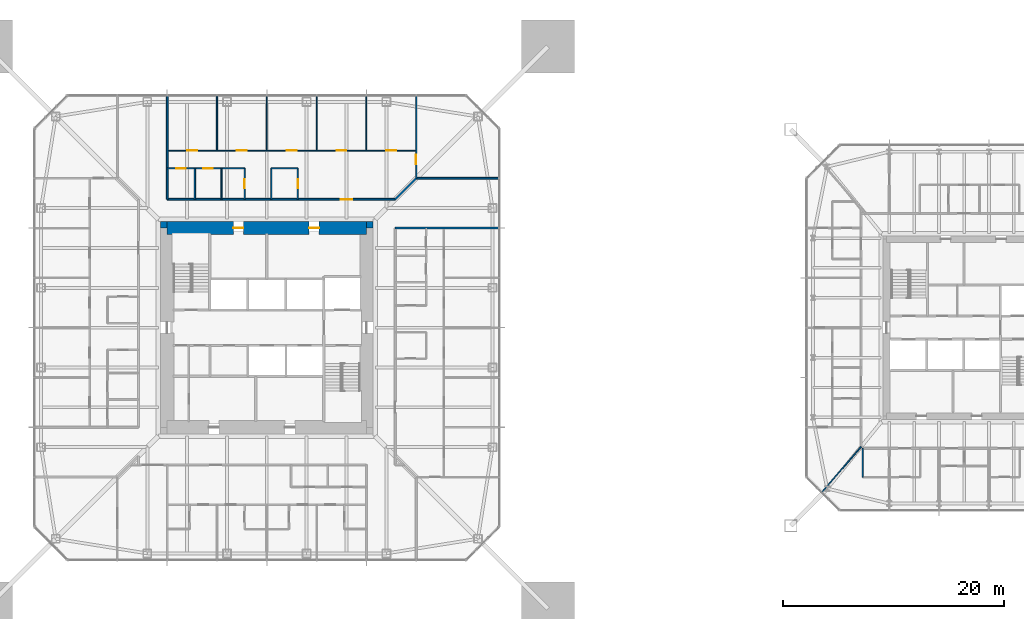
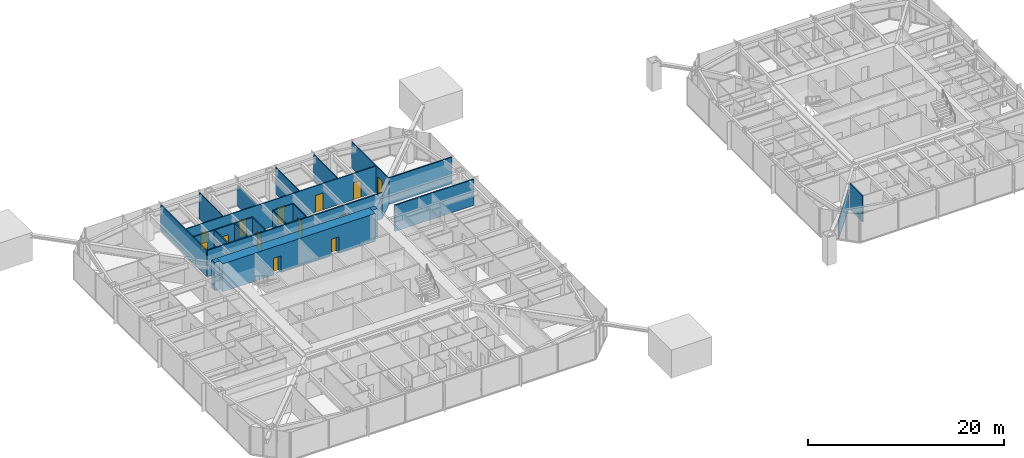
# One storey, part 16 of 25: 23 walls, 13 doors, 13 openings.
"""IFC4 building model written with IfcOpenShell, lengths in metres."""

from ifc_helpers import new_model, si_unit, direction, frame, frame_2d, origin, place, context, subcontext, project, spatial, rectangle, extrude, material, layer, layer_set, type_object, element, fill, save


model = new_model("IFC4")

# Units and contexts
model_context = context("Model", 3, precision=1e-05, world=origin(), true_north=direction((0.0, 1.0)))
body_context = subcontext(model_context, "Body", "Model", "MODEL_VIEW")
ifc_project = project(units=[si_unit("LENGTHUNIT", "METRE"), si_unit("AREAUNIT", "SQUARE_METRE"), si_unit("VOLUMEUNIT", "CUBIC_METRE"), si_unit("PLANEANGLEUNIT", "RADIAN"), si_unit("MASSUNIT", "GRAM", prefix="KILO")], contexts=[model_context])

# Site, building, storey
site_placement = place(None, origin())
site = spatial("IfcSite", under=ifc_project, at=site_placement, CompositionType="ELEMENT")
building_placement = place(site_placement, origin())
building = spatial("IfcBuilding", under=site, at=building_placement, Name="Iwan Alto Co-Living Towers", CompositionType="ELEMENT")
storey_placement = place(building_placement, frame((0.0, 0.0, 84.0)))
storey = spatial("IfcBuildingStorey", under=building, at=storey_placement, Name="L22", CompositionType="ELEMENT", Elevation=84.0)

# Wall
ifc_material_1 = material(Name="Gypsum board")
ifc_layer_1 = layer(ifc_material_1, 0.02490234375, Name="Board", Category="Finish")
ifc_material_2 = material(Name="Steel ASTM A1003 ST33H cold-formed studs", Category="steel")
ifc_layer_2 = layer(ifc_material_2, 0.10009765625, Name="Studs", Category="Framing")
ifc_layer_3 = layer(ifc_material_1, 0.02490234375, Name="Board", Category="Finish")
ifc_layer_set_1 = layer_set([ifc_layer_1, ifc_layer_2, ifc_layer_3], Name="CORRIDOR WALL 150")
wall_type_1 = type_object("IfcWallType", Name="CORRIDOR WALL 150", PredefinedType="PARTITIONING", material=ifc_layer_set_1)
wall_1_placement = place(storey_placement, frame((11.60009765625, 9.0, 0.0), z_axis=(0.0, 0.0, 1.0), x_axis=(1.0, 0.0, 0.0)))
element("IfcWall", 1, at=wall_1_placement, inside=storey, type_object=wall_type_1, Name="Partition L22", PredefinedType="PARTITIONING", context=body_context, shape_type="SweptSolid", body=[
    extrude(rectangle(XDim=9.33984375, YDim=0.14990234375, at=frame_2d((4.669921875, 0.0))), origin(), (0.0, 0.0, 1.0), 3.27001953125),
])

# Wall, opening, door
wall_2_placement = place(storey_placement, frame((-9.0, 11.60009765625, 0.0), z_axis=(0.0, 0.0, 1.0), x_axis=(1.0, 0.0, 0.0)))
wall_2 = element("IfcWall", 2, at=wall_2_placement, inside=storey, type_object=wall_type_1, Name="Partition L22", PredefinedType="PARTITIONING", context=body_context, shape_type="SweptSolid", body=[
    extrude(rectangle(XDim=20.60009765625, YDim=0.14990234375, at=frame_2d((10.300048828125, 0.0))), origin(), (0.0, 0.0, 1.0), 3.27001953125),
])
opening_1_placement = place(wall_2_placement, frame((15.699951171875, 0.0, 0.0)))
opening_1 = element("IfcOpeningElement", 3, at=opening_1_placement, cuts=wall_2, Name="Opening D3", PredefinedType="OPENING", context=body_context, shape_type="SweptSolid", body=[
    extrude(rectangle(XDim=1.0, YDim=2.10009765625, at=frame_2d((0.5, 1.050048828125))), frame((0.0, 0.0849609375, 0.0), z_axis=(0.0, -1.0, 0.0), x_axis=(1.0, 0.0, 0.0)), (0.0, 0.0, 1.0), 0.169921875),
])
ifc_material_3 = material(Name="Steel frame with timber leaf", Category="steel")
door_type_1 = type_object("IfcDoorType", Name="FLAT ENTRANCE DOOR FD30S 1000X2100", OperationType="SINGLE_SWING_LEFT", PredefinedType="DOOR", material=ifc_material_3)
door_1_placement = place(opening_1_placement, origin())
door_1 = element("IfcDoor", 4, at=door_1_placement, inside=storey, type_object=door_type_1, Name="Cluster lounge door L22", OperationType="SINGLE_SWING_LEFT", OverallHeight=2.10009765625, OverallWidth=1.0, PredefinedType="DOOR", context=body_context, shape_type="SweptSolid", body=[
    extrude(rectangle(XDim=1.0, YDim=2.10009765625, at=frame_2d((0.5, 1.050048828125))), frame((0.0, 0.02490234375, 0.0), z_axis=(0.0, -1.0, 0.0), x_axis=(1.0, 0.0, 0.0)), (0.0, 0.0, 1.0), 0.050048828125),
])
fill(opening_1, door_1)

# Walls
wall_3_placement = place(storey_placement, frame((13.5, 13.5, 0.0), z_axis=(0.0, 0.0, 1.0), x_axis=(1.0, 0.0, 0.0)))
element("IfcWall", 5, at=wall_3_placement, inside=storey, type_object=wall_type_1, Name="Partition L22", PredefinedType="PARTITIONING", context=body_context, shape_type="SweptSolid", body=[
    extrude(rectangle(XDim=7.43994140625, YDim=0.14990234375, at=frame_2d((3.719970703125, 0.0))), origin(), (0.0, 0.0, 1.0), 3.27001953125),
])
wall_4_placement = place(storey_placement, frame((11.60009765625, 11.60009765625, 0.0), z_axis=(0.0, 0.0, 1.0), x_axis=(0.707106781187, 0.707106781187, 0.0)))
element("IfcWall", 6, at=wall_4_placement, inside=storey, type_object=wall_type_1, Name="Partition L22", PredefinedType="PARTITIONING", context=body_context, shape_type="SweptSolid", body=[
    extrude(rectangle(XDim=2.686767578125, YDim=0.14990234375, at=frame_2d((1.34326171875, 0.0))), origin(), (0.0, 0.0, 1.0), 2.343017578125),
])
wall_5_placement = place(storey_placement, frame((-9.0, 11.60009765625, 0.0), z_axis=(0.0, 0.0, 1.0), x_axis=(0.0, 1.0, 0.0)))
element("IfcWall", 7, at=wall_5_placement, inside=storey, type_object=wall_type_1, Name="Partition L22", PredefinedType="PARTITIONING", context=body_context, shape_type="SweptSolid", body=[
    extrude(rectangle(XDim=9.33984375, YDim=0.14990234375, at=frame_2d((4.669921875, 0.0))), origin(), (0.0, 0.0, 1.0), 3.27001953125),
])
ifc_layer_4 = layer(ifc_material_1, 0.012451171875, Name="Board", Category="Finish")
ifc_layer_5 = layer(ifc_material_2, 0.074951171875, Name="Studs", Category="Framing")
ifc_layer_6 = layer(ifc_material_1, 0.012451171875, Name="Board", Category="Finish")
ifc_layer_set_2 = layer_set([ifc_layer_4, ifc_layer_5, ifc_layer_6], Name="PARTITION 100")
wall_type_2 = type_object("IfcWallType", Name="PARTITION 100", PredefinedType="PARTITIONING", material=ifc_layer_set_2)
wall_6_placement = place(storey_placement, frame((0.39990234375, 14.39990234375, 0.0), z_axis=(0.0, 0.0, 1.0), x_axis=(1.0, 0.0, 0.0)))
element("IfcWall", 8, at=wall_6_placement, inside=storey, type_object=wall_type_2, Name="Partition L22", PredefinedType="PARTITIONING", context=body_context, shape_type="SweptSolid", body=[
    extrude(rectangle(XDim=2.400146484375, YDim=0.10009765625, at=frame_2d((1.2001953125, 0.0))), origin(), (0.0, 0.0, 1.0), 3.27001953125),
])

# Wall, openings, doors
wall_7_placement = place(storey_placement, frame((-9.0, 16.0, 0.0), z_axis=(0.0, 0.0, 1.0), x_axis=(1.0, 0.0, 0.0)))
wall_7 = element("IfcWall", 9, at=wall_7_placement, inside=storey, type_object=wall_type_2, Name="Partition L22", PredefinedType="PARTITIONING", context=body_context, shape_type="SweptSolid", body=[
    extrude(rectangle(XDim=22.5, YDim=0.10009765625, at=frame_2d((11.25, 0.0))), origin(), (0.0, 0.0, 1.0), 3.27001953125),
])
opening_2_placement = place(wall_7_placement, frame((19.800048828125, 0.0, 0.0)))
opening_2 = element("IfcOpeningElement", 10, at=opening_2_placement, cuts=wall_7, Name="Opening D1", PredefinedType="OPENING", context=body_context, shape_type="SweptSolid", body=[
    extrude(rectangle(XDim=0.89990234375, YDim=2.10009765625, at=frame_2d((0.449951171875, 1.050048828125))), frame((0.0, 0.06005859375, 0.0), z_axis=(0.0, -1.0, 0.0), x_axis=(1.0, 0.0, 0.0)), (0.0, 0.0, 1.0), 0.1201171875),
])
opening_3_placement = place(wall_7_placement, frame((15.300048828125, 0.0, 0.0)))
opening_3 = element("IfcOpeningElement", 11, at=opening_3_placement, cuts=wall_7, Name="Opening D1", PredefinedType="OPENING", context=body_context, shape_type="SweptSolid", body=[
    extrude(rectangle(XDim=0.89990234375, YDim=2.10009765625, at=frame_2d((0.449951171875, 1.050048828125))), frame((0.0, 0.06005859375, 0.0), z_axis=(0.0, -1.0, 0.0), x_axis=(1.0, 0.0, 0.0)), (0.0, 0.0, 1.0), 0.1201171875),
])
opening_4_placement = place(wall_7_placement, frame((10.800048828125, 0.0, 0.0)))
opening_4 = element("IfcOpeningElement", 12, at=opening_4_placement, cuts=wall_7, Name="Opening D1", PredefinedType="OPENING", context=body_context, shape_type="SweptSolid", body=[
    extrude(rectangle(XDim=0.89990234375, YDim=2.10009765625, at=frame_2d((0.449951171875, 1.050048828125))), frame((0.0, 0.06005859375, 0.0), z_axis=(0.0, -1.0, 0.0), x_axis=(1.0, 0.0, 0.0)), (0.0, 0.0, 1.0), 0.1201171875),
])
opening_5_placement = place(wall_7_placement, frame((6.300048828125, 0.0, 0.0)))
opening_5 = element("IfcOpeningElement", 13, at=opening_5_placement, cuts=wall_7, Name="Opening D1", PredefinedType="OPENING", context=body_context, shape_type="SweptSolid", body=[
    extrude(rectangle(XDim=0.89990234375, YDim=2.10009765625, at=frame_2d((0.449951171875, 1.050048828125))), frame((0.0, 0.06005859375, 0.0), z_axis=(0.0, -1.0, 0.0), x_axis=(1.0, 0.0, 0.0)), (0.0, 0.0, 1.0), 0.1201171875),
])
opening_6_placement = place(wall_7_placement, frame((1.800048828125, 0.0, 0.0)))
opening_6 = element("IfcOpeningElement", 14, at=opening_6_placement, cuts=wall_7, Name="Opening D1", PredefinedType="OPENING", context=body_context, shape_type="SweptSolid", body=[
    extrude(rectangle(XDim=0.89990234375, YDim=2.10009765625, at=frame_2d((0.449951171875, 1.050048828125))), frame((0.0, 0.06005859375, 0.0), z_axis=(0.0, -1.0, 0.0), x_axis=(1.0, 0.0, 0.0)), (0.0, 0.0, 1.0), 0.1201171875),
])
ifc_material_4 = material(Name="Timber leaf in steel frame", Category="steel")
door_type_2 = type_object("IfcDoorType", Name="BEDROOM DOOR 900X2100", OperationType="SINGLE_SWING_LEFT", PredefinedType="DOOR", material=ifc_material_4)
door_2_placement = place(opening_2_placement, frame((0.89990234375, 0.0, 0.0), z_axis=(0.0, 0.0, 1.0), x_axis=(-1.0, 0.0, 0.0)))
door_2 = element("IfcDoor", 15, at=door_2_placement, inside=storey, type_object=door_type_2, Name="Study bedroom door L22", OperationType="SINGLE_SWING_LEFT", OverallHeight=2.10009765625, OverallWidth=0.89990234375, PredefinedType="DOOR", context=body_context, shape_type="SweptSolid", body=[
    extrude(rectangle(XDim=0.89990234375, YDim=2.10009765625, at=frame_2d((0.449951171875, 1.050048828125))), frame((0.0, 0.02490234375, 0.0), z_axis=(0.0, -1.0, 0.0), x_axis=(1.0, 0.0, 0.0)), (0.0, 0.0, 1.0), 0.050048828125),
])
fill(opening_2, door_2)
door_3_placement = place(opening_3_placement, frame((0.89990234375, 0.0, 0.0), z_axis=(0.0, 0.0, 1.0), x_axis=(-1.0, 0.0, 0.0)))
door_3 = element("IfcDoor", 16, at=door_3_placement, inside=storey, type_object=door_type_2, Name="Study bedroom door L22", OperationType="SINGLE_SWING_LEFT", OverallHeight=2.10009765625, OverallWidth=0.89990234375, PredefinedType="DOOR", context=body_context, shape_type="SweptSolid", body=[
    extrude(rectangle(XDim=0.89990234375, YDim=2.10009765625, at=frame_2d((0.449951171875, 1.050048828125))), frame((0.0, 0.02490234375, 0.0), z_axis=(0.0, -1.0, 0.0), x_axis=(1.0, 0.0, 0.0)), (0.0, 0.0, 1.0), 0.050048828125),
])
fill(opening_3, door_3)
door_4_placement = place(opening_4_placement, frame((0.89990234375, 0.0, 0.0), z_axis=(0.0, 0.0, 1.0), x_axis=(-1.0, 0.0, 0.0)))
door_4 = element("IfcDoor", 17, at=door_4_placement, inside=storey, type_object=door_type_2, Name="Study bedroom door L22", OperationType="SINGLE_SWING_RIGHT", OverallHeight=2.10009765625, OverallWidth=0.89990234375, PredefinedType="DOOR", context=body_context, shape_type="SweptSolid", body=[
    extrude(rectangle(XDim=0.89990234375, YDim=2.10009765625, at=frame_2d((0.449951171875, 1.050048828125))), frame((0.0, 0.02490234375, 0.0), z_axis=(0.0, -1.0, 0.0), x_axis=(1.0, 0.0, 0.0)), (0.0, 0.0, 1.0), 0.050048828125),
])
fill(opening_4, door_4)
door_5_placement = place(opening_5_placement, frame((0.89990234375, 0.0, 0.0), z_axis=(0.0, 0.0, 1.0), x_axis=(-1.0, 0.0, 0.0)))
door_5 = element("IfcDoor", 18, at=door_5_placement, inside=storey, type_object=door_type_2, Name="Study bedroom door L22", OperationType="SINGLE_SWING_RIGHT", OverallHeight=2.10009765625, OverallWidth=0.89990234375, PredefinedType="DOOR", context=body_context, shape_type="SweptSolid", body=[
    extrude(rectangle(XDim=0.89990234375, YDim=2.10009765625, at=frame_2d((0.449951171875, 1.050048828125))), frame((0.0, 0.02490234375, 0.0), z_axis=(0.0, -1.0, 0.0), x_axis=(1.0, 0.0, 0.0)), (0.0, 0.0, 1.0), 0.050048828125),
])
fill(opening_5, door_5)
door_6_placement = place(opening_6_placement, frame((0.89990234375, 0.0, 0.0), z_axis=(0.0, 0.0, 1.0), x_axis=(-1.0, 0.0, 0.0)))
door_6 = element("IfcDoor", 19, at=door_6_placement, inside=storey, type_object=door_type_2, Name="Study bedroom door L22", OperationType="SINGLE_SWING_RIGHT", OverallHeight=2.10009765625, OverallWidth=0.89990234375, PredefinedType="DOOR", context=body_context, shape_type="SweptSolid", body=[
    extrude(rectangle(XDim=0.89990234375, YDim=2.10009765625, at=frame_2d((0.449951171875, 1.050048828125))), frame((0.0, 0.02490234375, 0.0), z_axis=(0.0, -1.0, 0.0), x_axis=(1.0, 0.0, 0.0)), (0.0, 0.0, 1.0), 0.050048828125),
])
fill(opening_6, door_6)

# Wall
wall_8_placement = place(storey_placement, frame((50.178955078125, -14.843994140625, 0.0), z_axis=(0.0, 0.0, 1.0), x_axis=(0.653713095188, 0.756742485381, 0.0)))
element("IfcWall", 20, at=wall_8_placement, inside=storey, type_object=wall_type_2, Name="Partition L22", PredefinedType="PARTITIONING", context=body_context, shape_type="SweptSolid", body=[
    extrude(rectangle(XDim=5.38623046875, YDim=0.10009765625, at=frame_2d((2.693115234375, 0.0))), origin(), (0.0, 0.0, 1.0), 2.42919921875),
])

# Wall, opening, door
wall_9_placement = place(storey_placement, frame((13.5, 13.5, 0.0), z_axis=(0.0, 0.0, 1.0), x_axis=(0.0, 1.0, 0.0)))
wall_9 = element("IfcWall", 21, at=wall_9_placement, inside=storey, type_object=wall_type_2, Name="Partition L22", PredefinedType="PARTITIONING", context=body_context, shape_type="SweptSolid", body=[
    extrude(rectangle(XDim=7.43994140625, YDim=0.10009765625, at=frame_2d((3.719970703125, 0.0))), origin(), (0.0, 0.0, 1.0), 3.27001953125),
])
opening_7_placement = place(wall_9_placement, frame((1.27490234375, 0.0, 0.0)))
opening_7 = element("IfcOpeningElement", 22, at=opening_7_placement, cuts=wall_9, Name="Opening D2", PredefinedType="OPENING", context=body_context, shape_type="SweptSolid", body=[
    extrude(rectangle(XDim=0.85009765625, YDim=2.10009765625, at=frame_2d((0.425048828125, 1.050048828125))), frame((0.0, 0.06005859375, 0.0), z_axis=(0.0, -1.0, 0.0), x_axis=(1.0, 0.0, 0.0)), (0.0, 0.0, 1.0), 0.1201171875),
])
ifc_material_5 = material(Name="Timber leaf in steel frame", Category="steel")
door_type_3 = type_object("IfcDoorType", Name="ROOM DOOR 850X2100", OperationType="SINGLE_SWING_LEFT", PredefinedType="DOOR", material=ifc_material_5)
door_7_placement = place(opening_7_placement, origin())
door_7 = element("IfcDoor", 23, at=door_7_placement, inside=storey, type_object=door_type_3, Name="Shared kitchen and lounge door L22", OperationType="SINGLE_SWING_RIGHT", OverallHeight=2.10009765625, OverallWidth=0.85009765625, PredefinedType="DOOR", context=body_context, shape_type="SweptSolid", body=[
    extrude(rectangle(XDim=0.85009765625, YDim=2.10009765625, at=frame_2d((0.425048828125, 1.050048828125))), frame((0.0, 0.02490234375, 0.0), z_axis=(0.0, -1.0, 0.0), x_axis=(1.0, 0.0, 0.0)), (0.0, 0.0, 1.0), 0.050048828125),
])
fill(opening_7, door_7)

# Walls
for number, where, z_axis, x_axis, name in (
    (24, (9.0, 16.0, 0.0), (0.0, 0.0, 1.0), (0.0, 1.0, 0.0), "Partition L22"),
    (25, (4.5, 16.0, 0.0), (0.0, 0.0, 1.0), (0.0, 1.0, 0.0), "Partition L22"),
):
    element("IfcWall", number, at=place(storey_placement, frame(where, z_axis=z_axis, x_axis=x_axis)), inside=storey, type_object=wall_type_2, Name=name, PredefinedType="PARTITIONING", context=body_context, shape_type="SweptSolid", body=[
        extrude(rectangle(XDim=4.93994140625, YDim=0.10009765625, at=frame_2d((2.469970703125, 0.0))), origin(), (0.0, 0.0, 1.0), 3.27001953125),
    ])

# Wall, opening, door
wall_10_placement = place(storey_placement, frame((2.800048828125, 11.60009765625, 0.0), z_axis=(0.0, 0.0, 1.0), x_axis=(0.0, 1.0, 0.0)))
wall_10 = element("IfcWall", 26, at=wall_10_placement, inside=storey, type_object=wall_type_2, Name="Partition L22", PredefinedType="PARTITIONING", context=body_context, shape_type="SweptSolid", body=[
    extrude(rectangle(XDim=2.7998046875, YDim=0.10009765625, at=frame_2d((1.39990234375, 0.0))), origin(), (0.0, 0.0, 1.0), 3.27001953125),
])
opening_8_placement = place(wall_10_placement, frame((0.97509765625, 0.0, 0.0)))
opening_8 = element("IfcOpeningElement", 27, at=opening_8_placement, cuts=wall_10, Name="Opening D2", PredefinedType="OPENING", context=body_context, shape_type="SweptSolid", body=[
    extrude(rectangle(XDim=0.85009765625, YDim=2.10009765625, at=frame_2d((0.425048828125, 1.050048828125))), frame((0.0, 0.06005859375, 0.0), z_axis=(0.0, -1.0, 0.0), x_axis=(1.0, 0.0, 0.0)), (0.0, 0.0, 1.0), 0.1201171875),
])
door_8_placement = place(opening_8_placement, frame((0.85009765625, 0.0, 0.0), z_axis=(0.0, 0.0, 1.0), x_axis=(-1.0, 0.0, 0.0)))
door_8 = element("IfcDoor", 28, at=door_8_placement, inside=storey, type_object=door_type_3, Name="Store room door L22", OperationType="SINGLE_SWING_RIGHT", OverallHeight=2.10009765625, OverallWidth=0.85009765625, PredefinedType="DOOR", context=body_context, shape_type="SweptSolid", body=[
    extrude(rectangle(XDim=0.85009765625, YDim=2.10009765625, at=frame_2d((0.425048828125, 1.050048828125))), frame((0.0, 0.02490234375, 0.0), z_axis=(0.0, -1.0, 0.0), x_axis=(1.0, 0.0, 0.0)), (0.0, 0.0, 1.0), 0.050048828125),
])
fill(opening_8, door_8)

# Walls
wall_11_placement = place(storey_placement, frame((0.39990234375, 11.60009765625, 0.0), z_axis=(0.0, 0.0, 1.0), x_axis=(0.0, 1.0, 0.0)))
element("IfcWall", 29, at=wall_11_placement, inside=storey, type_object=wall_type_2, Name="Partition L22", PredefinedType="PARTITIONING", context=body_context, shape_type="SweptSolid", body=[
    extrude(rectangle(XDim=2.7998046875, YDim=0.10009765625, at=frame_2d((1.39990234375, 0.0))), origin(), (0.0, 0.0, 1.0), 3.27001953125),
])
wall_12_placement = place(storey_placement, frame((0.0, 16.0, 0.0), z_axis=(0.0, 0.0, 1.0), x_axis=(0.0, 1.0, 0.0)))
element("IfcWall", 30, at=wall_12_placement, inside=storey, type_object=wall_type_2, Name="Partition L22", PredefinedType="PARTITIONING", context=body_context, shape_type="SweptSolid", body=[
    extrude(rectangle(XDim=4.93994140625, YDim=0.10009765625, at=frame_2d((2.469970703125, 0.0))), origin(), (0.0, 0.0, 1.0), 2.586669921875),
])
wall_13_placement = place(storey_placement, frame((-4.5, 16.0, 0.0), z_axis=(0.0, 0.0, 1.0), x_axis=(0.0, 1.0, 0.0)))
element("IfcWall", 31, at=wall_13_placement, inside=storey, type_object=wall_type_2, Name="Partition L22", PredefinedType="PARTITIONING", context=body_context, shape_type="SweptSolid", body=[
    extrude(rectangle(XDim=4.93994140625, YDim=0.10009765625, at=frame_2d((2.469970703125, 0.0))), origin(), (0.0, 0.0, 1.0), 3.27001953125),
])
ifc_material_6 = material(Name="Concrete f'c 70 MPa", Category="concrete")
ifc_layer_7 = layer(ifc_material_6, 0.60009765625)
ifc_layer_set_3 = layer_set([ifc_layer_7], Name="T1 CORE CORNER FILL 600")
wall_type_3 = type_object("IfcWallType", Name="T1 CORE CORNER FILL 600", PredefinedType="SOLIDWALL", material=ifc_layer_set_3)
for number, where, z_axis, x_axis, name in (
    (32, (9.0, 9.300048828125, 0.0), (0.0, 0.0, 1.0), (1.0, 0.0, 0.0), "T1 core corner NE L22"),
    (33, (-9.60009765625, 9.300048828125, 0.0), (0.0, 0.0, 1.0), (1.0, 0.0, 0.0), "T1 core corner NW L22"),
):
    element("IfcWall", number, at=place(storey_placement, frame(where, z_axis=z_axis, x_axis=x_axis)), inside=storey, type_object=wall_type_3, Name=name, PredefinedType="SOLIDWALL", context=body_context, shape_type="SweptSolid", body=[
        extrude(rectangle(XDim=0.60009765625, YDim=0.60009765625, at=frame_2d((0.300048828125, 0.0))), origin(), (0.0, 0.0, 1.0), 3.5),
    ])

# Wall, openings, doors
ifc_material_7 = material(Name="Concrete f'c 70 MPa", Category="concrete")
ifc_layer_8 = layer(ifc_material_7, 1.199951171875)
ifc_layer_set_4 = layer_set([ifc_layer_8], Name="T1 CORE WALL 1200")
wall_type_4 = type_object("IfcWallType", Name="T1 CORE WALL 1200", PredefinedType="SHEAR", material=ifc_layer_set_4)
wall_14_placement = place(storey_placement, frame((9.0, 9.0, 0.0), z_axis=(0.0, 0.0, 1.0), x_axis=(-1.0, 0.0, 0.0)))
wall_14 = element("IfcWall", 34, at=wall_14_placement, inside=storey, type_object=wall_type_4, Name="T1 core wall N L22", PredefinedType="SHEAR", context=body_context, shape_type="SweptSolid", body=[
    extrude(rectangle(XDim=18.0, YDim=1.199951171875, at=frame_2d((9.0, 0.0))), origin(), (0.0, 0.0, 1.0), 3.5),
])
opening_9_placement = place(wall_14_placement, frame((11.125, 0.0, 0.0)))
opening_9 = element("IfcOpeningElement", 35, at=opening_9_placement, cuts=wall_14, Name="Opening D8", PredefinedType="OPENING", context=body_context, shape_type="SweptSolid", body=[
    extrude(rectangle(XDim=0.89990234375, YDim=2.10009765625, at=frame_2d((0.449951171875, 1.050048828125))), frame((0.0, 0.60986328125, 0.0), z_axis=(0.0, -1.0, 0.0), x_axis=(1.0, 0.0, 0.0)), (0.0, 0.0, 1.0), 1.219970703125),
])
opening_10_placement = place(wall_14_placement, frame((4.27490234375, 0.0, 0.0)))
opening_10 = element("IfcOpeningElement", 36, at=opening_10_placement, cuts=wall_14, Name="Opening D8", PredefinedType="OPENING", context=body_context, shape_type="SweptSolid", body=[
    extrude(rectangle(XDim=0.89990234375, YDim=2.10009765625, at=frame_2d((0.449951171875, 1.050048828125))), frame((0.0, 0.60986328125, 0.0), z_axis=(0.0, -1.0, 0.0), x_axis=(1.0, 0.0, 0.0)), (0.0, 0.0, 1.0), 1.219970703125),
])
ifc_material_8 = material(Name="Steel frame with timber leaf", Category="steel")
door_type_4 = type_object("IfcDoorType", Name="RISER DOOR FD120 900X2100", OperationType="SINGLE_SWING_LEFT", PredefinedType="DOOR", material=ifc_material_8)
door_9_placement = place(opening_9_placement, origin())
door_9 = element("IfcDoor", 37, at=door_9_placement, inside=storey, type_object=door_type_4, Name="Electrical riser core door L22", OperationType="SINGLE_SWING_RIGHT", OverallHeight=2.10009765625, OverallWidth=0.89990234375, PredefinedType="DOOR", context=body_context, shape_type="SweptSolid", body=[
    extrude(rectangle(XDim=0.89990234375, YDim=2.10009765625, at=frame_2d((0.449951171875, 1.050048828125))), frame((0.0, 0.02490234375, 0.0), z_axis=(0.0, -1.0, 0.0), x_axis=(1.0, 0.0, 0.0)), (0.0, 0.0, 1.0), 0.050048828125),
])
fill(opening_9, door_9)
door_10_placement = place(opening_10_placement, origin())
door_10 = element("IfcDoor", 38, at=door_10_placement, inside=storey, type_object=door_type_4, Name="Water and drainage riser core door L22", OperationType="SINGLE_SWING_RIGHT", OverallHeight=2.10009765625, OverallWidth=0.89990234375, PredefinedType="DOOR", context=body_context, shape_type="SweptSolid", body=[
    extrude(rectangle(XDim=0.89990234375, YDim=2.10009765625, at=frame_2d((0.449951171875, 1.050048828125))), frame((0.0, 0.02490234375, 0.0), z_axis=(0.0, -1.0, 0.0), x_axis=(1.0, 0.0, 0.0)), (0.0, 0.0, 1.0), 0.050048828125),
])
fill(opening_10, door_10)

ifc_material_9 = material(Name="Cement board")
ifc_layer_9 = layer(ifc_material_9, 0.012451171875, Name="Board", Category="Finish")
ifc_layer_10 = layer(ifc_material_2, 0.094970703125, Name="Studs", Category="Framing")
ifc_layer_11 = layer(ifc_material_9, 0.012451171875, Name="Board", Category="Finish")
ifc_layer_set_5 = layer_set([ifc_layer_9, ifc_layer_10, ifc_layer_11], Name="WET AREA PARTITION 120")
wall_type_5 = type_object("IfcWallType", Name="WET AREA PARTITION 120", PredefinedType="PARTITIONING", material=ifc_layer_set_5)
wall_15_placement = place(storey_placement, frame((-9.0, 14.39990234375, 0.0), z_axis=(0.0, 0.0, 1.0), x_axis=(1.0, 0.0, 0.0)))
wall_15 = element("IfcWall", 39, at=wall_15_placement, inside=storey, type_object=wall_type_5, Name="Partition L22", PredefinedType="PARTITIONING", context=body_context, shape_type="SweptSolid", body=[
    extrude(rectangle(XDim=7.0, YDim=0.1201171875, at=frame_2d((3.5, 0.0))), origin(), (0.0, 0.0, 1.0), 3.27001953125),
])
opening_11_placement = place(wall_15_placement, frame((3.27490234375, 0.0, 0.0)))
opening_11 = element("IfcOpeningElement", 40, at=opening_11_placement, cuts=wall_15, Name="Opening D2", PredefinedType="OPENING", context=body_context, shape_type="SweptSolid", body=[
    extrude(rectangle(XDim=0.85009765625, YDim=2.10009765625, at=frame_2d((0.425048828125, 1.050048828125))), frame((0.0, 0.070068359375, 0.0), z_axis=(0.0, -1.0, 0.0), x_axis=(1.0, 0.0, 0.0)), (0.0, 0.0, 1.0), 0.14013671875),
])
opening_12_placement = place(wall_15_placement, frame((0.824951171875, 0.0, 0.0)))
opening_12 = element("IfcOpeningElement", 41, at=opening_12_placement, cuts=wall_15, Name="Opening D2", PredefinedType="OPENING", context=body_context, shape_type="SweptSolid", body=[
    extrude(rectangle(XDim=0.85009765625, YDim=2.10009765625, at=frame_2d((0.425048828125, 1.050048828125))), frame((0.0, 0.070068359375, 0.0), z_axis=(0.0, -1.0, 0.0), x_axis=(1.0, 0.0, 0.0)), (0.0, 0.0, 1.0), 0.14013671875),
])
door_11_placement = place(opening_11_placement, origin())
door_11 = element("IfcDoor", 42, at=door_11_placement, inside=storey, type_object=door_type_3, Name="Accessible bathroom door L22", OperationType="SINGLE_SWING_LEFT", OverallHeight=2.10009765625, OverallWidth=0.85009765625, PredefinedType="DOOR", context=body_context, shape_type="SweptSolid", body=[
    extrude(rectangle(XDim=0.85009765625, YDim=2.10009765625, at=frame_2d((0.425048828125, 1.050048828125))), frame((0.0, 0.02490234375, 0.0), z_axis=(0.0, -1.0, 0.0), x_axis=(1.0, 0.0, 0.0)), (0.0, 0.0, 1.0), 0.050048828125),
])
fill(opening_11, door_11)
door_12_placement = place(opening_12_placement, origin())
door_12 = element("IfcDoor", 43, at=door_12_placement, inside=storey, type_object=door_type_3, Name="Laundry door L22", OperationType="SINGLE_SWING_LEFT", OverallHeight=2.10009765625, OverallWidth=0.85009765625, PredefinedType="DOOR", context=body_context, shape_type="SweptSolid", body=[
    extrude(rectangle(XDim=0.85009765625, YDim=2.10009765625, at=frame_2d((0.425048828125, 1.050048828125))), frame((0.0, 0.02490234375, 0.0), z_axis=(0.0, -1.0, 0.0), x_axis=(1.0, 0.0, 0.0)), (0.0, 0.0, 1.0), 0.050048828125),
])
fill(opening_12, door_12)

# Wall
wall_16_placement = place(storey_placement, frame((53.85009765625, -13.5, 0.0), z_axis=(0.0, 0.0, 1.0), x_axis=(0.0, 1.0, 0.0)))
element("IfcWall", 44, at=wall_16_placement, inside=storey, type_object=wall_type_5, Name="Partition L22", PredefinedType="PARTITIONING", context=body_context, shape_type="SweptSolid", body=[
    extrude(rectangle(XDim=2.60009765625, YDim=0.1201171875, at=frame_2d((1.300048828125, 0.0))), origin(), (0.0, 0.0, 1.0), 3.27001953125),
])

# Wall, opening, door
wall_17_placement = place(storey_placement, frame((-2.0, 11.60009765625, 0.0), z_axis=(0.0, 0.0, 1.0), x_axis=(0.0, 1.0, 0.0)))
wall_17 = element("IfcWall", 45, at=wall_17_placement, inside=storey, type_object=wall_type_5, Name="Partition L22", PredefinedType="PARTITIONING", context=body_context, shape_type="SweptSolid", body=[
    extrude(rectangle(XDim=2.7998046875, YDim=0.1201171875, at=frame_2d((1.39990234375, 0.0))), origin(), (0.0, 0.0, 1.0), 3.27001953125),
])
opening_13_placement = place(wall_17_placement, frame((0.97509765625, 0.0, 0.0)))
opening_13 = element("IfcOpeningElement", 46, at=opening_13_placement, cuts=wall_17, Name="Opening D2", PredefinedType="OPENING", context=body_context, shape_type="SweptSolid", body=[
    extrude(rectangle(XDim=0.85009765625, YDim=2.10009765625, at=frame_2d((0.425048828125, 1.050048828125))), frame((0.0, 0.070068359375, 0.0), z_axis=(0.0, -1.0, 0.0), x_axis=(1.0, 0.0, 0.0)), (0.0, 0.0, 1.0), 0.14013671875),
])
door_13_placement = place(opening_13_placement, frame((0.85009765625, 0.0, 0.0), z_axis=(0.0, 0.0, 1.0), x_axis=(-1.0, 0.0, 0.0)))
door_13 = element("IfcDoor", 47, at=door_13_placement, inside=storey, type_object=door_type_3, Name="Bathroom door L22", OperationType="SINGLE_SWING_RIGHT", OverallHeight=2.10009765625, OverallWidth=0.85009765625, PredefinedType="DOOR", context=body_context, shape_type="SweptSolid", body=[
    extrude(rectangle(XDim=0.85009765625, YDim=2.10009765625, at=frame_2d((0.425048828125, 1.050048828125))), frame((0.0, 0.02490234375, 0.0), z_axis=(0.0, -1.0, 0.0), x_axis=(1.0, 0.0, 0.0)), (0.0, 0.0, 1.0), 0.050048828125),
])
fill(opening_13, door_13)

# Walls
for number, where, z_axis, x_axis, name in (
    (48, (-4.10009765625, 11.60009765625, 0.0), (0.0, 0.0, 1.0), (0.0, 1.0, 0.0), "Partition L22"),
    (49, (-6.5, 11.60009765625, 0.0), (0.0, 0.0, 1.0), (0.0, 1.0, 0.0), "Partition L22"),
):
    element("IfcWall", number, at=place(storey_placement, frame(where, z_axis=z_axis, x_axis=x_axis)), inside=storey, type_object=wall_type_5, Name=name, PredefinedType="PARTITIONING", context=body_context, shape_type="SweptSolid", body=[
        extrude(rectangle(XDim=2.7998046875, YDim=0.1201171875, at=frame_2d((1.39990234375, 0.0))), origin(), (0.0, 0.0, 1.0), 3.27001953125),
    ])

save(model, "model.ifc")
